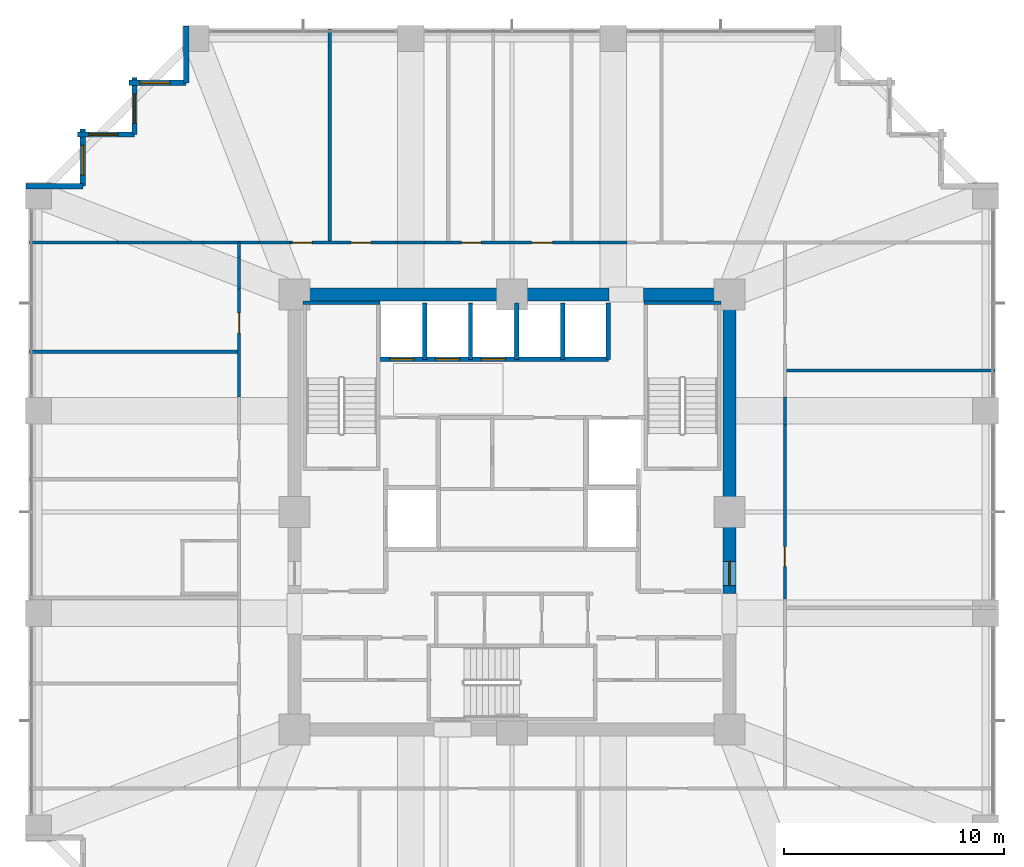
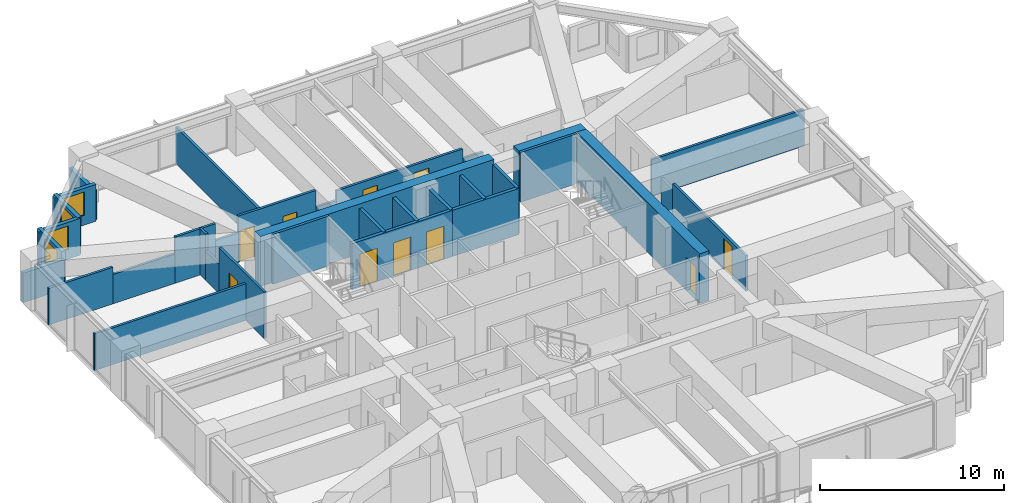
# One storey, part 35 of 37: 35 walls, 10 doors, 4 windows, 14 openings.
"""IFC4 building model written with IfcOpenShell, lengths in metres."""

from ifc_helpers import new_model, si_unit, direction, frame, frame_2d, origin, place, context, subcontext, project, spatial, rectangle, extrude, material, layer, layer_set, type_object, element, fill, save


model = new_model("IFC4")

# Units and contexts
model_context = context("Model", 3, precision=1e-05, world=origin(), true_north=direction((0.0, 1.0)))
body_context = subcontext(model_context, "Body", "Model", "MODEL_VIEW")
ifc_project = project(units=[si_unit("LENGTHUNIT", "METRE"), si_unit("AREAUNIT", "SQUARE_METRE"), si_unit("VOLUMEUNIT", "CUBIC_METRE"), si_unit("PLANEANGLEUNIT", "RADIAN"), si_unit("MASSUNIT", "GRAM", prefix="KILO")], contexts=[model_context])

# Site, building, storey
site_placement = place(None, origin())
site = spatial("IfcSite", under=ifc_project, at=site_placement, CompositionType="ELEMENT")
building_placement = place(site_placement, origin())
building = spatial("IfcBuilding", under=site, at=building_placement, Name="Kolvaren Belvedere", CompositionType="ELEMENT")
storey_placement = place(building_placement, frame((0.0, 0.0, 37.0)))
storey = spatial("IfcBuildingStorey", under=building, at=storey_placement, Name="L10", CompositionType="ELEMENT", Elevation=37.0)

# Walls
ifc_material_1 = material(Name="Concrete C60/75", Category="concrete")
ifc_layer_1 = layer(ifc_material_1, 0.60009765625)
ifc_layer_set_1 = layer_set([ifc_layer_1], Name="Concrete C60/75")
wall_type_1 = type_object("IfcWallType", Name="CW-CORE-600", PredefinedType="SHEAR", material=ifc_layer_set_1)
wall_1_placement = place(storey_placement, frame((-10.199951171875, 9.89990234375, 0.0), z_axis=(0.0, 0.0, 1.0), x_axis=(1.0, 0.0, 0.0)))
element("IfcWall", 1, at=wall_1_placement, inside=storey, type_object=wall_type_1, Name="L10 North Core Shear Wall 1", PredefinedType="SHEAR", context=body_context, shape_type="SweptSolid", body=[
    extrude(rectangle(XDim=14.619873046875, YDim=0.60009765625, at=frame_2d((7.31005859375, 0.0))), origin(), (0.0, 0.0, 1.0), 3.300048828125),
])
wall_2_placement = place(storey_placement, frame((5.97998046875, 9.89990234375, 0.0), z_axis=(0.0, 0.0, 1.0), x_axis=(1.0, 0.0, 0.0)))
element("IfcWall", 2, at=wall_2_placement, inside=storey, type_object=wall_type_1, Name="L10 North Core Shear Wall 2", PredefinedType="SHEAR", context=body_context, shape_type="SweptSolid", body=[
    extrude(rectangle(XDim=4.219970703125, YDim=0.60009765625, at=frame_2d((2.10986328125, 0.0))), origin(), (0.0, 0.0, 1.0), 3.300048828125),
])

# Wall, opening, door
wall_3_placement = place(storey_placement, frame((9.89990234375, -3.699951171875, 0.0), z_axis=(0.0, 0.0, 1.0), x_axis=(0.0, 1.0, 0.0)))
wall_3 = element("IfcWall", 3, at=wall_3_placement, inside=storey, type_object=wall_type_1, Name="L10 East Core Shear Wall 2", PredefinedType="SHEAR", context=body_context, shape_type="SweptSolid", body=[
    extrude(rectangle(XDim=13.300048828125, YDim=0.60009765625, at=frame_2d((6.64990234375, 0.0))), origin(), (0.0, 0.0, 1.0), 3.300048828125),
])
opening_1_placement = place(wall_3_placement, frame((0.35009765625, 0.0, 0.0)))
opening_1 = element("IfcOpeningElement", 4, at=opening_1_placement, cuts=wall_3, Name="Opening D-FD90", PredefinedType="OPENING", context=body_context, shape_type="SweptSolid", body=[
    extrude(rectangle(XDim=1.10009765625, YDim=2.199951171875, at=frame_2d((0.550048828125, 1.10009765625))), frame((0.0, 0.31005859375, 0.0), z_axis=(0.0, -1.0, 0.0), x_axis=(1.0, 0.0, 0.0)), (0.0, 0.0, 1.0), 0.6201171875),
])
ifc_material_2 = material(Name="Painted hollow stainless steel", Category="steel")
door_type_1 = type_object("IfcDoorType", Name="DR-FD90-1100", OperationType="NOTDEFINED", PredefinedType="DOOR", material=ifc_material_2)
door_1_placement = place(opening_1_placement, origin())
door_1 = element("IfcDoor", 5, at=door_1_placement, inside=storey, type_object=door_type_1, Name="L10 East Firefighting Lobby Fire Door", OperationType="SINGLE_SWING_RIGHT", OverallHeight=2.199951171875, OverallWidth=1.10009765625, PredefinedType="DOOR", context=body_context, shape_type="SweptSolid", body=[
    extrude(rectangle(XDim=1.10009765625, YDim=2.199951171875, at=frame_2d((0.550048828125, 1.10009765625))), frame((0.0, 0.02490234375, 0.0), z_axis=(0.0, -1.0, 0.0), x_axis=(1.0, 0.0, 0.0)), (0.0, 0.0, 1.0), 0.050048828125),
])
fill(opening_1, door_1)

# Walls
ifc_material_3 = material(Name="Concrete C50/60", Category="concrete")
ifc_layer_2 = layer(ifc_material_3, 0.159912109375)
ifc_layer_set_2 = layer_set([ifc_layer_2], Name="Concrete C50/60")
wall_type_2 = type_object("IfcWallType", Name="CW-STAIR-160", PredefinedType="SHEAR", material=ifc_layer_set_2)
for number, where, z_axis, x_axis, name in (
    (6, (-9.52001953125, 9.530029296875, 0.0), (0.0, 0.0, 1.0), (1.0, 0.0, 0.0), "L10 Stair ST-1 North Shear Wall"),
    (7, (6.0, 9.530029296875, 0.0), (0.0, 0.0, 1.0), (1.0, 0.0, 0.0), "L10 Stair ST-2 North Shear Wall"),
):
    element("IfcWall", number, at=place(storey_placement, frame(where, z_axis=z_axis, x_axis=x_axis)), inside=storey, type_object=wall_type_2, Name=name, PredefinedType="SHEAR", context=body_context, shape_type="SweptSolid", body=[
        extrude(rectangle(XDim=3.52001953125, YDim=0.159912109375, at=frame_2d((1.760009765625, 0.0))), origin(), (0.0, 0.0, 1.0), 3.300048828125),
    ])
ifc_material_4 = material(Name="Gypsum fire-rated partition assembly", Category="gypsum")
ifc_layer_3 = layer(ifc_material_4, 0.14990234375)
ifc_layer_set_3 = layer_set([ifc_layer_3], Name="Gypsum fire-rated partition assembly")
wall_type_3 = type_object("IfcWallType", Name="WL-CORR-150", PredefinedType="PARTITIONING", material=ifc_layer_set_3)
wall_4_placement = place(storey_placement, frame((-12.419921875, 12.260009765625, 0.0), z_axis=(0.0, 0.0, 1.0), x_axis=(1.0, 0.0, 0.0)))
element("IfcWall", 8, at=wall_4_placement, inside=storey, type_object=wall_type_3, Name="L10 North Corridor Wall", PredefinedType="PARTITIONING", context=body_context, shape_type="SweptSolid", body=[
    extrude(rectangle(XDim=0.888671875, YDim=0.14990234375, at=frame_2d((0.4443359375, 0.0))), origin(), (0.0, 0.0, 1.0), 3.06005859375),
])
wall_5_placement = place(storey_placement, frame((-11.53125, 12.260009765625, 0.0), z_axis=(0.0, 0.0, 1.0), x_axis=(1.0, 0.0, 0.0)))
element("IfcWall", 9, at=wall_5_placement, inside=storey, type_object=wall_type_3, Name="L10 North Corridor Wall", PredefinedType="PARTITIONING", context=body_context, shape_type="SweptSolid", body=[
    extrude(rectangle(XDim=1.439453125, YDim=0.14990234375, at=frame_2d((0.7197265625, 0.0))), origin(), (0.0, 0.0, 1.0), 1.945068359375),
])

# Wall, openings, doors
wall_6_placement = place(storey_placement, frame((-10.091796875, 12.260009765625, 0.0), z_axis=(0.0, 0.0, 1.0), x_axis=(1.0, 0.0, 0.0)))
wall_6 = element("IfcWall", 10, at=wall_6_placement, inside=storey, type_object=wall_type_3, Name="L10 North Corridor Wall", PredefinedType="PARTITIONING", context=body_context, shape_type="SweptSolid", body=[
    extrude(rectangle(XDim=4.849853515625, YDim=0.14990234375, at=frame_2d((2.4248046875, 0.0))), origin(), (0.0, 0.0, 1.0), 3.06005859375),
])
opening_2_placement = place(wall_6_placement, frame((0.10009765625, 0.0, 0.0)))
opening_2 = element("IfcOpeningElement", 11, at=opening_2_placement, cuts=wall_6, Name="Opening D-INT90", PredefinedType="OPENING", context=body_context, shape_type="SweptSolid", body=[
    extrude(rectangle(XDim=0.89990234375, YDim=2.06005859375, at=frame_2d((0.449951171875, 1.030029296875))), frame((0.0, 0.0849609375, 0.0), z_axis=(0.0, -1.0, 0.0), x_axis=(1.0, 0.0, 0.0)), (0.0, 0.0, 1.0), 0.169921875),
])
opening_3_placement = place(wall_6_placement, frame((2.7724609375, 0.0, 0.0)))
opening_3 = element("IfcOpeningElement", 12, at=opening_3_placement, cuts=wall_6, Name="Opening D-INT90", PredefinedType="OPENING", context=body_context, shape_type="SweptSolid", body=[
    extrude(rectangle(XDim=0.89990234375, YDim=2.06005859375, at=frame_2d((0.449951171875, 1.030029296875))), frame((0.0, 0.0849609375, 0.0), z_axis=(0.0, -1.0, 0.0), x_axis=(1.0, 0.0, 0.0)), (0.0, 0.0, 1.0), 0.169921875),
])
ifc_material_5 = material(Name="Stained Pacific white oak", Category="timber")
door_type_2 = type_object("IfcDoorType", Name="DR-INT-900", OperationType="NOTDEFINED", PredefinedType="DOOR", material=ifc_material_5)
door_2_placement = place(opening_2_placement, origin())
door_2 = element("IfcDoor", 13, at=door_2_placement, inside=storey, type_object=door_type_2, Name="L10 Lounge 1012 Door", OperationType="SINGLE_SWING_RIGHT", OverallHeight=2.06005859375, OverallWidth=0.89990234375, PredefinedType="DOOR", context=body_context, shape_type="SweptSolid", body=[
    extrude(rectangle(XDim=0.89990234375, YDim=2.06005859375, at=frame_2d((0.449951171875, 1.030029296875))), frame((0.0, 0.02490234375, 0.0), z_axis=(0.0, -1.0, 0.0), x_axis=(1.0, 0.0, 0.0)), (0.0, 0.0, 1.0), 0.050048828125),
])
fill(opening_2, door_2)
door_3_placement = place(opening_3_placement, origin())
door_3 = element("IfcDoor", 14, at=door_3_placement, inside=storey, type_object=door_type_2, Name="L10 Lounge 1013 Door", OperationType="SINGLE_SWING_LEFT", OverallHeight=2.06005859375, OverallWidth=0.89990234375, PredefinedType="DOOR", context=body_context, shape_type="SweptSolid", body=[
    extrude(rectangle(XDim=0.89990234375, YDim=2.06005859375, at=frame_2d((0.449951171875, 1.030029296875))), frame((0.0, 0.02490234375, 0.0), z_axis=(0.0, -1.0, 0.0), x_axis=(1.0, 0.0, 0.0)), (0.0, 0.0, 1.0), 0.050048828125),
])
fill(opening_3, door_3)

# Wall
wall_7_placement = place(storey_placement, frame((-5.241943359375, 12.260009765625, 0.0), z_axis=(0.0, 0.0, 1.0), x_axis=(1.0, 0.0, 0.0)))
element("IfcWall", 15, at=wall_7_placement, inside=storey, type_object=wall_type_3, Name="L10 North Corridor Wall", PredefinedType="PARTITIONING", context=body_context, shape_type="SweptSolid", body=[
    extrude(rectangle(XDim=1.283935546875, YDim=0.14990234375, at=frame_2d((0.64208984375, 0.0))), origin(), (0.0, 0.0, 1.0), 1.945068359375),
])

# Wall, openings, doors
wall_8_placement = place(storey_placement, frame((-3.9580078125, 12.260009765625, 0.0), z_axis=(0.0, 0.0, 1.0), x_axis=(1.0, 0.0, 0.0)))
wall_8 = element("IfcWall", 16, at=wall_8_placement, inside=storey, type_object=wall_type_3, Name="L10 North Corridor Wall", PredefinedType="PARTITIONING", context=body_context, shape_type="SweptSolid", body=[
    extrude(rectangle(XDim=7.916015625, YDim=0.14990234375, at=frame_2d((3.9580078125, 0.0))), origin(), (0.0, 0.0, 1.0), 2.5849609375),
])
opening_4_placement = place(wall_8_placement, frame((1.657958984375, 0.0, 0.0)))
opening_4 = element("IfcOpeningElement", 17, at=opening_4_placement, cuts=wall_8, Name="Opening D-INT90", PredefinedType="OPENING", context=body_context, shape_type="SweptSolid", body=[
    extrude(rectangle(XDim=0.89990234375, YDim=2.06005859375, at=frame_2d((0.449951171875, 1.030029296875))), frame((0.0, 0.0849609375, 0.0), z_axis=(0.0, -1.0, 0.0), x_axis=(1.0, 0.0, 0.0)), (0.0, 0.0, 1.0), 0.169921875),
])
opening_5_placement = place(wall_8_placement, frame((4.84619140625, 0.0, 0.0)))
opening_5 = element("IfcOpeningElement", 18, at=opening_5_placement, cuts=wall_8, Name="Opening D-INT95", PredefinedType="OPENING", context=body_context, shape_type="SweptSolid", body=[
    extrude(rectangle(XDim=0.949951171875, YDim=2.06005859375, at=frame_2d((0.47509765625, 1.030029296875))), frame((0.0, 0.0849609375, 0.0), z_axis=(0.0, -1.0, 0.0), x_axis=(1.0, 0.0, 0.0)), (0.0, 0.0, 1.0), 0.169921875),
])
door_4_placement = place(opening_4_placement, origin())
door_4 = element("IfcDoor", 19, at=door_4_placement, inside=storey, type_object=door_type_2, Name="L10 Housekeeping Door", OperationType="SINGLE_SWING_RIGHT", OverallHeight=2.06005859375, OverallWidth=0.89990234375, PredefinedType="DOOR", context=body_context, shape_type="SweptSolid", body=[
    extrude(rectangle(XDim=0.89990234375, YDim=2.06005859375, at=frame_2d((0.449951171875, 1.030029296875))), frame((0.0, 0.02490234375, 0.0), z_axis=(0.0, -1.0, 0.0), x_axis=(1.0, 0.0, 0.0)), (0.0, 0.0, 1.0), 0.050048828125),
])
fill(opening_4, door_4)
ifc_material_6 = material(Name="Stained Pacific white oak", Category="timber")
door_type_3 = type_object("IfcDoorType", Name="DR-INT-950", OperationType="NOTDEFINED", PredefinedType="DOOR", material=ifc_material_6)
door_5_placement = place(opening_5_placement, origin())
door_5 = element("IfcDoor", 20, at=door_5_placement, inside=storey, type_object=door_type_3, Name="L10 Accessible Washroom Door", OperationType="SINGLE_SWING_LEFT", OverallHeight=2.06005859375, OverallWidth=0.949951171875, PredefinedType="DOOR", context=body_context, shape_type="SweptSolid", body=[
    extrude(rectangle(XDim=0.949951171875, YDim=2.06005859375, at=frame_2d((0.47509765625, 1.030029296875))), frame((0.0, 0.02490234375, 0.0), z_axis=(0.0, -1.0, 0.0), x_axis=(1.0, 0.0, 0.0)), (0.0, 0.0, 1.0), 0.050048828125),
])
fill(opening_5, door_5)

# Wall
wall_9_placement = place(storey_placement, frame((3.9580078125, 12.260009765625, 0.0), z_axis=(0.0, 0.0, 1.0), x_axis=(1.0, 0.0, 0.0)))
element("IfcWall", 21, at=wall_9_placement, inside=storey, type_object=wall_type_3, Name="L10 North Corridor Wall", PredefinedType="PARTITIONING", context=body_context, shape_type="SweptSolid", body=[
    extrude(rectangle(XDim=1.283935546875, YDim=0.14990234375, at=frame_2d((0.64208984375, 0.0))), origin(), (0.0, 0.0, 1.0), 1.945068359375),
])

# Wall, opening, door
wall_10_placement = place(storey_placement, frame((-12.419921875, 5.241943359375, 0.0), z_axis=(0.0, 0.0, 1.0), x_axis=(0.0, 1.0, 0.0)))
wall_10 = element("IfcWall", 22, at=wall_10_placement, inside=storey, type_object=wall_type_3, Name="L10 West Corridor Wall", PredefinedType="PARTITIONING", context=body_context, shape_type="SweptSolid", body=[
    extrude(rectangle(XDim=4.911865234375, YDim=0.14990234375, at=frame_2d((2.4560546875, 0.0))), origin(), (0.0, 0.0, 1.0), 3.06005859375),
])
opening_6_placement = place(wall_10_placement, frame((2.914794921875, 0.0, 0.0)))
opening_6 = element("IfcOpeningElement", 23, at=opening_6_placement, cuts=wall_10, Name="Opening D-INT90", PredefinedType="OPENING", context=body_context, shape_type="SweptSolid", body=[
    extrude(rectangle(XDim=0.89990234375, YDim=2.06005859375, at=frame_2d((0.449951171875, 1.030029296875))), frame((0.0, 0.0849609375, 0.0), z_axis=(0.0, -1.0, 0.0), x_axis=(1.0, 0.0, 0.0)), (0.0, 0.0, 1.0), 0.169921875),
])
door_6_placement = place(opening_6_placement, origin())
door_6 = element("IfcDoor", 24, at=door_6_placement, inside=storey, type_object=door_type_2, Name="L10 Lounge 1011 Door", OperationType="SINGLE_SWING_LEFT", OverallHeight=2.06005859375, OverallWidth=0.89990234375, PredefinedType="DOOR", context=body_context, shape_type="SweptSolid", body=[
    extrude(rectangle(XDim=0.89990234375, YDim=2.06005859375, at=frame_2d((0.449951171875, 1.030029296875))), frame((0.0, 0.02490234375, 0.0), z_axis=(0.0, -1.0, 0.0), x_axis=(1.0, 0.0, 0.0)), (0.0, 0.0, 1.0), 0.050048828125),
])
fill(opening_6, door_6)

# Walls
wall_11_placement = place(storey_placement, frame((-12.419921875, 10.15380859375, 0.0), z_axis=(0.0, 0.0, 1.0), x_axis=(0.0, 1.0, 0.0)))
element("IfcWall", 25, at=wall_11_placement, inside=storey, type_object=wall_type_3, Name="L10 West Corridor Wall", PredefinedType="PARTITIONING", context=body_context, shape_type="SweptSolid", body=[
    extrude(rectangle(XDim=1.439208984375, YDim=0.14990234375, at=frame_2d((0.7197265625, 0.0))), origin(), (0.0, 0.0, 1.0), 1.945068359375),
])
wall_12_placement = place(storey_placement, frame((-12.419921875, 11.593017578125, 0.0), z_axis=(0.0, 0.0, 1.0), x_axis=(0.0, 1.0, 0.0)))
element("IfcWall", 26, at=wall_12_placement, inside=storey, type_object=wall_type_3, Name="L10 West Corridor Wall", PredefinedType="PARTITIONING", context=body_context, shape_type="SweptSolid", body=[
    extrude(rectangle(XDim=0.6669921875, YDim=0.14990234375, at=frame_2d((0.33349609375, 0.0))), origin(), (0.0, 0.0, 1.0), 3.06005859375),
])

# Wall, opening, door
wall_13_placement = place(storey_placement, frame((12.419921875, -3.9580078125, 0.0), z_axis=(0.0, 0.0, 1.0), x_axis=(0.0, 1.0, 0.0)))
wall_13 = element("IfcWall", 27, at=wall_13_placement, inside=storey, type_object=wall_type_3, Name="L10 East Corridor Wall", PredefinedType="PARTITIONING", context=body_context, shape_type="SweptSolid", body=[
    extrude(rectangle(XDim=7.916015625, YDim=0.14990234375, at=frame_2d((3.9580078125, 0.0))), origin(), (0.0, 0.0, 1.0), 2.34912109375),
])
opening_7_placement = place(wall_13_placement, frame((1.47802734375, 0.0, 0.0)))
opening_7 = element("IfcOpeningElement", 28, at=opening_7_placement, cuts=wall_13, Name="Opening D-INT90", PredefinedType="OPENING", context=body_context, shape_type="SweptSolid", body=[
    extrude(rectangle(XDim=0.89990234375, YDim=2.06005859375, at=frame_2d((0.449951171875, 1.030029296875))), frame((0.0, 0.0849609375, 0.0), z_axis=(0.0, -1.0, 0.0), x_axis=(1.0, 0.0, 0.0)), (0.0, 0.0, 1.0), 0.169921875),
])
door_7_placement = place(opening_7_placement, origin())
door_7 = element("IfcDoor", 29, at=door_7_placement, inside=storey, type_object=door_type_2, Name="L10 Lounge 1005 Door", OperationType="SINGLE_SWING_RIGHT", OverallHeight=2.06005859375, OverallWidth=0.89990234375, PredefinedType="DOOR", context=body_context, shape_type="SweptSolid", body=[
    extrude(rectangle(XDim=0.89990234375, YDim=2.06005859375, at=frame_2d((0.449951171875, 1.030029296875))), frame((0.0, 0.02490234375, 0.0), z_axis=(0.0, -1.0, 0.0), x_axis=(1.0, 0.0, 0.0)), (0.0, 0.0, 1.0), 0.050048828125),
])
fill(opening_7, door_7)

# Walls
wall_14_placement = place(storey_placement, frame((12.419921875, 3.9580078125, 0.0), z_axis=(0.0, 0.0, 1.0), x_axis=(0.0, 1.0, 0.0)))
element("IfcWall", 30, at=wall_14_placement, inside=storey, type_object=wall_type_3, Name="L10 East Corridor Wall", PredefinedType="PARTITIONING", context=body_context, shape_type="SweptSolid", body=[
    extrude(rectangle(XDim=1.283935546875, YDim=0.14990234375, at=frame_2d((0.64208984375, 0.0))), origin(), (0.0, 0.0, 1.0), 1.945068359375),
])
ifc_material_7 = material(Name="Insulated pale-metal facade wall assembly", Category="aluminium")
ifc_layer_4 = layer(ifc_material_7, 0.239990234375)
ifc_layer_set_4 = layer_set([ifc_layer_4], Name="Insulated pale-metal facade wall assembly")
wall_type_4 = type_object("IfcWallType", Name="WL-EXT-240", PredefinedType="STANDARD", material=ifc_layer_set_4)
wall_15_placement = place(storey_placement, frame((-14.830078125, 19.530029296875, 0.0), z_axis=(0.0, 0.0, 1.0), x_axis=(0.0, 1.0, 0.0)))
element("IfcWall", 31, at=wall_15_placement, inside=storey, type_object=wall_type_4, Name="L10 Serrated Corner Facade Wall 16", PredefinedType="STANDARD", context=body_context, shape_type="SweptSolid", body=[
    extrude(rectangle(XDim=2.590087890625, YDim=0.239990234375, at=frame_2d((1.294921875, 0.0))), origin(), (0.0, 0.0, 1.0), 1.955078125),
])

# Wall, opening, window
wall_16_placement = place(storey_placement, frame((-17.419921875, 19.530029296875, 0.0), z_axis=(0.0, 0.0, 1.0), x_axis=(1.0, 0.0, 0.0)))
wall_16 = element("IfcWall", 32, at=wall_16_placement, inside=storey, type_object=wall_type_4, Name="L10 Serrated Corner Facade Wall 17", PredefinedType="STANDARD", context=body_context, shape_type="SweptSolid", body=[
    extrude(rectangle(XDim=2.58984375, YDim=0.239990234375, at=frame_2d((1.294921875, 0.0))), origin(), (0.0, 0.0, 1.0), 2.43896484375),
])
opening_8_placement = place(wall_16_placement, frame((0.5, 0.0, 0.64990234375)))
opening_8 = element("IfcOpeningElement", 33, at=opening_8_placement, cuts=wall_16, Name="Opening W-1350", PredefinedType="OPENING", context=body_context, shape_type="SweptSolid", body=[
    extrude(rectangle(XDim=1.35009765625, YDim=1.550048828125, at=frame_2d((0.675048828125, 0.77490234375))), frame((0.0, 0.1298828125, 0.0), z_axis=(0.0, -1.0, 0.0), x_axis=(1.0, 0.0, 0.0)), (0.0, 0.0, 1.0), 0.260009765625),
])
ifc_material_8 = material(Name="Low-iron triple insulated glass", Category="glass")
window_type = type_object("IfcWindowType", Name="WN-CORN-1350", PartitioningType="SINGLE_PANEL", PredefinedType="WINDOW", material=ifc_material_8)
window_1_placement = place(opening_8_placement, origin())
window_1 = element("IfcWindow", 34, at=window_1_placement, inside=storey, type_object=window_type, Name="L10 Serrated Corner Vision Window 17", OverallHeight=1.550048828125, OverallWidth=1.35009765625, PartitioningType="SINGLE_PANEL", PredefinedType="WINDOW", context=body_context, shape_type="SweptSolid", body=[
    extrude(rectangle(XDim=1.35009765625, YDim=1.550048828125, at=frame_2d((0.675048828125, 0.77490234375))), frame((0.0, 0.030029296875, 0.0), z_axis=(0.0, -1.0, 0.0), x_axis=(1.0, 0.0, 0.0)), (0.0, 0.0, 1.0), 0.06005859375),
])
fill(opening_8, window_1)

wall_17_placement = place(storey_placement, frame((-17.179931640625, 17.179931640625, 0.0), z_axis=(0.0, 0.0, 1.0), x_axis=(0.0, 1.0, 0.0)))
wall_17 = element("IfcWall", 35, at=wall_17_placement, inside=storey, type_object=wall_type_4, Name="L10 Serrated Corner Facade Wall 18", PredefinedType="STANDARD", context=body_context, shape_type="SweptSolid", body=[
    extrude(rectangle(XDim=2.590087890625, YDim=0.239990234375, at=frame_2d((1.294921875, 0.0))), origin(), (0.0, 0.0, 1.0), 2.43896484375),
])
opening_9_placement = place(wall_17_placement, frame((0.5, 0.0, 0.64990234375)))
opening_9 = element("IfcOpeningElement", 36, at=opening_9_placement, cuts=wall_17, Name="Opening W-1350", PredefinedType="OPENING", context=body_context, shape_type="SweptSolid", body=[
    extrude(rectangle(XDim=1.35009765625, YDim=1.550048828125, at=frame_2d((0.675048828125, 0.77490234375))), frame((0.0, 0.1298828125, 0.0), z_axis=(0.0, -1.0, 0.0), x_axis=(1.0, 0.0, 0.0)), (0.0, 0.0, 1.0), 0.260009765625),
])
window_2_placement = place(opening_9_placement, origin())
window_2 = element("IfcWindow", 37, at=window_2_placement, inside=storey, type_object=window_type, Name="L10 Serrated Corner Vision Window 18", OverallHeight=1.550048828125, OverallWidth=1.35009765625, PartitioningType="SINGLE_PANEL", PredefinedType="WINDOW", context=body_context, shape_type="SweptSolid", body=[
    extrude(rectangle(XDim=1.35009765625, YDim=1.550048828125, at=frame_2d((0.675048828125, 0.77490234375))), frame((0.0, 0.030029296875, 0.0), z_axis=(0.0, -1.0, 0.0), x_axis=(1.0, 0.0, 0.0)), (0.0, 0.0, 1.0), 0.06005859375),
])
fill(opening_9, window_2)

wall_18_placement = place(storey_placement, frame((-19.77001953125, 17.179931640625, 0.0), z_axis=(0.0, 0.0, 1.0), x_axis=(1.0, 0.0, 0.0)))
wall_18 = element("IfcWall", 38, at=wall_18_placement, inside=storey, type_object=wall_type_4, Name="L10 Serrated Corner Facade Wall 19", PredefinedType="STANDARD", context=body_context, shape_type="SweptSolid", body=[
    extrude(rectangle(XDim=2.590087890625, YDim=0.239990234375, at=frame_2d((1.294921875, 0.0))), origin(), (0.0, 0.0, 1.0), 2.43896484375),
])
opening_10_placement = place(wall_18_placement, frame((0.5, 0.0, 0.64990234375)))
opening_10 = element("IfcOpeningElement", 39, at=opening_10_placement, cuts=wall_18, Name="Opening W-1350", PredefinedType="OPENING", context=body_context, shape_type="SweptSolid", body=[
    extrude(rectangle(XDim=1.35009765625, YDim=1.550048828125, at=frame_2d((0.675048828125, 0.77490234375))), frame((0.0, 0.1298828125, 0.0), z_axis=(0.0, -1.0, 0.0), x_axis=(1.0, 0.0, 0.0)), (0.0, 0.0, 1.0), 0.260009765625),
])
window_3_placement = place(opening_10_placement, origin())
window_3 = element("IfcWindow", 40, at=window_3_placement, inside=storey, type_object=window_type, Name="L10 Serrated Corner Vision Window 19", OverallHeight=1.550048828125, OverallWidth=1.35009765625, PartitioningType="SINGLE_PANEL", PredefinedType="WINDOW", context=body_context, shape_type="SweptSolid", body=[
    extrude(rectangle(XDim=1.35009765625, YDim=1.550048828125, at=frame_2d((0.675048828125, 0.77490234375))), frame((0.0, 0.030029296875, 0.0), z_axis=(0.0, -1.0, 0.0), x_axis=(1.0, 0.0, 0.0)), (0.0, 0.0, 1.0), 0.06005859375),
])
fill(opening_10, window_3)

wall_19_placement = place(storey_placement, frame((-19.530029296875, 14.830078125, 0.0), z_axis=(0.0, 0.0, 1.0), x_axis=(0.0, 1.0, 0.0)))
wall_19 = element("IfcWall", 41, at=wall_19_placement, inside=storey, type_object=wall_type_4, Name="L10 Serrated Corner Facade Wall 20", PredefinedType="STANDARD", context=body_context, shape_type="SweptSolid", body=[
    extrude(rectangle(XDim=2.58984375, YDim=0.239990234375, at=frame_2d((1.294921875, 0.0))), origin(), (0.0, 0.0, 1.0), 2.43896484375),
])
opening_11_placement = place(wall_19_placement, frame((0.5, 0.0, 0.64990234375)))
opening_11 = element("IfcOpeningElement", 42, at=opening_11_placement, cuts=wall_19, Name="Opening W-1350", PredefinedType="OPENING", context=body_context, shape_type="SweptSolid", body=[
    extrude(rectangle(XDim=1.35009765625, YDim=1.550048828125, at=frame_2d((0.675048828125, 0.77490234375))), frame((0.0, 0.1298828125, 0.0), z_axis=(0.0, -1.0, 0.0), x_axis=(1.0, 0.0, 0.0)), (0.0, 0.0, 1.0), 0.260009765625),
])
window_4_placement = place(opening_11_placement, origin())
window_4 = element("IfcWindow", 43, at=window_4_placement, inside=storey, type_object=window_type, Name="L10 Serrated Corner Vision Window 20", OverallHeight=1.550048828125, OverallWidth=1.35009765625, PartitioningType="SINGLE_PANEL", PredefinedType="WINDOW", context=body_context, shape_type="SweptSolid", body=[
    extrude(rectangle(XDim=1.35009765625, YDim=1.550048828125, at=frame_2d((0.675048828125, 0.77490234375))), frame((0.0, 0.030029296875, 0.0), z_axis=(0.0, -1.0, 0.0), x_axis=(1.0, 0.0, 0.0)), (0.0, 0.0, 1.0), 0.06005859375),
])
fill(opening_11, window_4)

# Walls
wall_20_placement = place(storey_placement, frame((-22.1201171875, 14.830078125, 0.0), z_axis=(0.0, 0.0, 1.0), x_axis=(1.0, 0.0, 0.0)))
element("IfcWall", 44, at=wall_20_placement, inside=storey, type_object=wall_type_4, Name="L10 Serrated Corner Facade Wall 21", PredefinedType="STANDARD", context=body_context, shape_type="SweptSolid", body=[
    extrude(rectangle(XDim=2.590087890625, YDim=0.239990234375, at=frame_2d((1.294921875, 0.0))), origin(), (0.0, 0.0, 1.0), 1.955078125),
])
ifc_material_9 = material(Name="Gypsum acoustic partition assembly", Category="gypsum")
ifc_layer_5 = layer(ifc_material_9, 0.14990234375)
ifc_layer_set_5 = layer_set([ifc_layer_5], Name="Gypsum acoustic partition assembly")
wall_type_5 = type_object("IfcWallType", Name="WL-PART-150", PredefinedType="PARTITIONING", material=ifc_layer_set_5)
wall_21_placement = place(storey_placement, frame((-21.97998046875, 12.260009765625, 0.0), z_axis=(0.0, 0.0, 1.0), x_axis=(1.0, 0.0, 0.0)))
element("IfcWall", 45, at=wall_21_placement, inside=storey, type_object=wall_type_5, Name="L10 Wing Divider PW-L10-QNW", PredefinedType="PARTITIONING", context=body_context, shape_type="SweptSolid", body=[
    extrude(rectangle(XDim=4.0166015625, YDim=0.14990234375, at=frame_2d((2.00830078125, 0.0))), origin(), (0.0, 0.0, 1.0), 2.428955078125),
])
wall_22_placement = place(storey_placement, frame((-17.96337890625, 12.260009765625, 0.0), z_axis=(0.0, 0.0, 1.0), x_axis=(1.0, 0.0, 0.0)))
element("IfcWall", 46, at=wall_22_placement, inside=storey, type_object=wall_type_5, Name="L10 Wing Divider PW-L10-QNW", PredefinedType="PARTITIONING", context=body_context, shape_type="SweptSolid", body=[
    extrude(rectangle(XDim=3.9072265625, YDim=0.14990234375, at=frame_2d((1.95361328125, 0.0))), origin(), (0.0, 0.0, 1.0), 1.945068359375),
])
wall_23_placement = place(storey_placement, frame((-14.05615234375, 12.260009765625, 0.0), z_axis=(0.0, 0.0, 1.0), x_axis=(1.0, 0.0, 0.0)))
element("IfcWall", 47, at=wall_23_placement, inside=storey, type_object=wall_type_5, Name="L10 Wing Divider PW-L10-QNW", PredefinedType="PARTITIONING", context=body_context, shape_type="SweptSolid", body=[
    extrude(rectangle(XDim=1.63623046875, YDim=0.14990234375, at=frame_2d((0.818115234375, 0.0))), origin(), (0.0, 0.0, 1.0), 3.06005859375),
])
for number, where, z_axis, x_axis, name in (
    (48, (12.419921875, 6.43994140625, 0.0), (0.0, 0.0, 1.0), (1.0, 0.0, 0.0), "L10 East Suite Demising Wall 2"),
    (49, (-21.97998046875, 7.2958984375, 0.0), (0.0, 0.0, 1.0), (1.0, 0.0, 0.0), "L10 West Suite Demising Wall 4"),
):
    element("IfcWall", number, at=place(storey_placement, frame(where, z_axis=z_axis, x_axis=x_axis)), inside=storey, type_object=wall_type_5, Name=name, PredefinedType="PARTITIONING", context=body_context, shape_type="SweptSolid", body=[
        extrude(rectangle(XDim=9.56005859375, YDim=0.14990234375, at=frame_2d((4.780029296875, 0.0))), origin(), (0.0, 0.0, 1.0), 2.428955078125),
    ])
wall_24_placement = place(storey_placement, frame((-8.2958984375, 12.260009765625, 0.0), z_axis=(0.0, 0.0, 1.0), x_axis=(0.0, 1.0, 0.0)))
element("IfcWall", 50, at=wall_24_placement, inside=storey, type_object=wall_type_5, Name="L10 North Suite Demising Wall 1", PredefinedType="PARTITIONING", context=body_context, shape_type="SweptSolid", body=[
    extrude(rectangle(XDim=9.719970703125, YDim=0.14990234375, at=frame_2d((4.85986328125, 0.0))), origin(), (0.0, 0.0, 1.0), 2.428955078125),
])

# Wall, openings, doors
ifc_material_10 = material(Name="Concrete C50/60", Category="concrete")
ifc_layer_6 = layer(ifc_material_10, 0.199951171875)
ifc_layer_set_6 = layer_set([ifc_layer_6], Name="Concrete C50/60")
wall_type_6 = type_object("IfcWallType", Name="WL-SHAFT-200", PredefinedType="SOLIDWALL", material=ifc_layer_set_6)
wall_25_placement = place(storey_placement, frame((-6.080078125, 6.949951171875, 0.0), z_axis=(0.0, 0.0, 1.0), x_axis=(1.0, 0.0, 0.0)))
wall_25 = element("IfcWall", 51, at=wall_25_placement, inside=storey, type_object=wall_type_6, Name="L10 Low-Rise Lift Bank Front Wall", PredefinedType="SOLIDWALL", context=body_context, shape_type="SweptSolid", body=[
    extrude(rectangle(XDim=6.300048828125, YDim=0.199951171875, at=frame_2d((3.14990234375, 0.0))), origin(), (0.0, 0.0, 1.0), 3.06005859375),
])
opening_12_placement = place(wall_25_placement, frame((0.52001953125, 0.0, 0.0)))
opening_12 = element("IfcOpeningElement", 52, at=opening_12_placement, cuts=wall_25, Name="Opening LD-11", PredefinedType="OPENING", context=body_context, shape_type="SweptSolid", body=[
    extrude(rectangle(XDim=1.10009765625, YDim=2.199951171875, at=frame_2d((0.550048828125, 1.10009765625))), frame((0.0, 0.10986328125, 0.0), z_axis=(0.0, -1.0, 0.0), x_axis=(1.0, 0.0, 0.0)), (0.0, 0.0, 1.0), 0.219970703125),
])
opening_13_placement = place(wall_25_placement, frame((2.60009765625, 0.0, 0.0)))
opening_13 = element("IfcOpeningElement", 53, at=opening_13_placement, cuts=wall_25, Name="Opening LD-11", PredefinedType="OPENING", context=body_context, shape_type="SweptSolid", body=[
    extrude(rectangle(XDim=1.10009765625, YDim=2.199951171875, at=frame_2d((0.550048828125, 1.10009765625))), frame((0.0, 0.10986328125, 0.0), z_axis=(0.0, -1.0, 0.0), x_axis=(1.0, 0.0, 0.0)), (0.0, 0.0, 1.0), 0.219970703125),
])
opening_14_placement = place(wall_25_placement, frame((4.679931640625, 0.0, 0.0)))
opening_14 = element("IfcOpeningElement", 54, at=opening_14_placement, cuts=wall_25, Name="Opening LD-11", PredefinedType="OPENING", context=body_context, shape_type="SweptSolid", body=[
    extrude(rectangle(XDim=1.10009765625, YDim=2.199951171875, at=frame_2d((0.550048828125, 1.10009765625))), frame((0.0, 0.10986328125, 0.0), z_axis=(0.0, -1.0, 0.0), x_axis=(1.0, 0.0, 0.0)), (0.0, 0.0, 1.0), 0.219970703125),
])
ifc_material_11 = material(Name="Brushed stainless steel", Category="steel")
door_type_4 = type_object("IfcDoorType", Name="DR-LIFT-1100", OperationType="DOUBLE_DOOR_SLIDING", PredefinedType="DOOR", material=ifc_material_11)
door_8_placement = place(opening_12_placement, origin())
door_8 = element("IfcDoor", 55, at=door_8_placement, inside=storey, type_object=door_type_4, Name="L10 Passenger Lift P1 Landing Door", OperationType="DOUBLE_DOOR_SLIDING", OverallHeight=2.199951171875, OverallWidth=1.10009765625, PredefinedType="DOOR", context=body_context, shape_type="SweptSolid", body=[
    extrude(rectangle(XDim=1.10009765625, YDim=2.199951171875, at=frame_2d((0.550048828125, 1.10009765625))), frame((0.0, 0.02490234375, 0.0), z_axis=(0.0, -1.0, 0.0), x_axis=(1.0, 0.0, 0.0)), (0.0, 0.0, 1.0), 0.050048828125),
])
fill(opening_12, door_8)
door_9_placement = place(opening_13_placement, origin())
door_9 = element("IfcDoor", 56, at=door_9_placement, inside=storey, type_object=door_type_4, Name="L10 Passenger Lift P2 Landing Door", OperationType="DOUBLE_DOOR_SLIDING", OverallHeight=2.199951171875, OverallWidth=1.10009765625, PredefinedType="DOOR", context=body_context, shape_type="SweptSolid", body=[
    extrude(rectangle(XDim=1.10009765625, YDim=2.199951171875, at=frame_2d((0.550048828125, 1.10009765625))), frame((0.0, 0.02490234375, 0.0), z_axis=(0.0, -1.0, 0.0), x_axis=(1.0, 0.0, 0.0)), (0.0, 0.0, 1.0), 0.050048828125),
])
fill(opening_13, door_9)
door_10_placement = place(opening_14_placement, origin())
door_10 = element("IfcDoor", 57, at=door_10_placement, inside=storey, type_object=door_type_4, Name="L10 Passenger Lift P3 Landing Door", OperationType="DOUBLE_DOOR_SLIDING", OverallHeight=2.199951171875, OverallWidth=1.10009765625, PredefinedType="DOOR", context=body_context, shape_type="SweptSolid", body=[
    extrude(rectangle(XDim=1.10009765625, YDim=2.199951171875, at=frame_2d((0.550048828125, 1.10009765625))), frame((0.0, 0.02490234375, 0.0), z_axis=(0.0, -1.0, 0.0), x_axis=(1.0, 0.0, 0.0)), (0.0, 0.0, 1.0), 0.050048828125),
])
fill(opening_14, door_10)

# Walls
for number, where, z_axis, x_axis, name in (
    (58, (-3.969970703125, 6.949951171875, 0.0), (0.0, 0.0, 1.0), (0.0, 1.0, 0.0), "L10 Low-Rise Hoistway Divider 1"),
    (59, (-1.889892578125, 6.949951171875, 0.0), (0.0, 0.0, 1.0), (0.0, 1.0, 0.0), "L10 Low-Rise Hoistway Divider 2"),
    (60, (0.2099609375, 6.949951171875, 0.0), (0.0, 0.0, 1.0), (0.0, 1.0, 0.0), "L10 Low-Rise Hoistway Divider 3"),
):
    element("IfcWall", number, at=place(storey_placement, frame(where, z_axis=z_axis, x_axis=x_axis)), inside=storey, type_object=wall_type_6, Name=name, PredefinedType="SOLIDWALL", context=body_context, shape_type="SweptSolid", body=[
        extrude(rectangle(XDim=2.570068359375, YDim=0.199951171875, at=frame_2d((1.28515625, 0.0))), origin(), (0.0, 0.0, 1.0), 3.06005859375),
    ])
wall_26_placement = place(storey_placement, frame((0.219970703125, 6.949951171875, 0.0), z_axis=(0.0, 0.0, 1.0), x_axis=(1.0, 0.0, 0.0)))
element("IfcWall", 61, at=wall_26_placement, inside=storey, type_object=wall_type_6, Name="L10 Express Shuttle Hoistway Wall", PredefinedType="SOLIDWALL", context=body_context, shape_type="SweptSolid", body=[
    extrude(rectangle(XDim=4.179931640625, YDim=0.199951171875, at=frame_2d((2.08984375, 0.0))), origin(), (0.0, 0.0, 1.0), 3.06005859375),
])
for number, where, z_axis, x_axis, name in (
    (62, (4.3798828125, 6.949951171875, 0.0), (0.0, 0.0, 1.0), (0.0, 1.0, 0.0), "L10 Express Shuttle East Wall"),
    (63, (2.31005859375, 6.949951171875, 0.0), (0.0, 0.0, 1.0), (0.0, 1.0, 0.0), "L10 Express Shuttle Divider"),
):
    element("IfcWall", number, at=place(storey_placement, frame(where, z_axis=z_axis, x_axis=x_axis)), inside=storey, type_object=wall_type_6, Name=name, PredefinedType="SOLIDWALL", context=body_context, shape_type="SweptSolid", body=[
        extrude(rectangle(XDim=2.570068359375, YDim=0.199951171875, at=frame_2d((1.28515625, 0.0))), origin(), (0.0, 0.0, 1.0), 3.06005859375),
    ])

save(model, "model.ifc")
